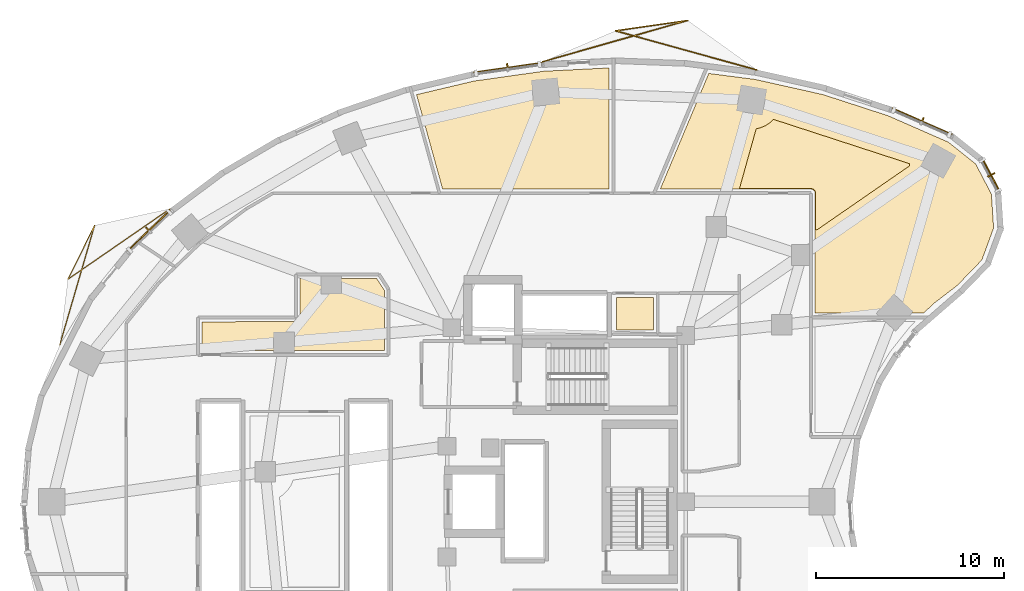
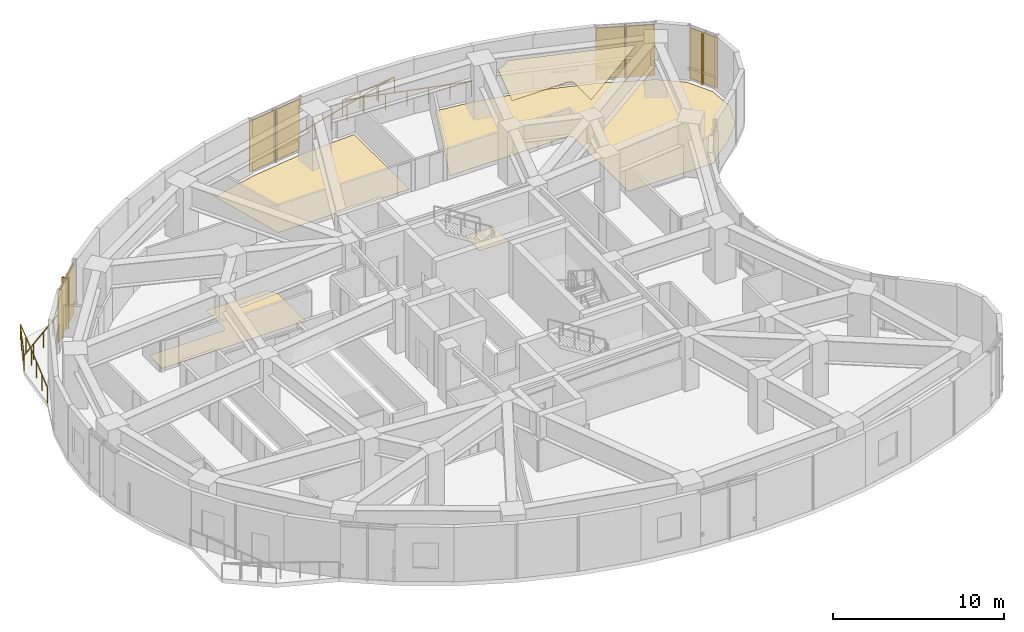
# One storey, part 13 of 13: 8 shading devices, 5 coverings, 2 railings.
"""IFC4 building model written with IfcOpenShell, lengths in metres."""

from ifc_helpers import new_model, si_unit, direction, frame, origin, origin_2d, place, context, subcontext, project, spatial, polyline, rectangle, outline, extrude, material, layer, layer_set, type_object, element, save


model = new_model("IFC4")

# Units and contexts
model_context = context("Model", 3, precision=1e-05, world=origin(), true_north=direction((0.0, 1.0)))
body_context = subcontext(model_context, "Body", "Model", "MODEL_VIEW")
ifc_project = project(units=[si_unit("LENGTHUNIT", "METRE"), si_unit("AREAUNIT", "SQUARE_METRE"), si_unit("VOLUMEUNIT", "CUBIC_METRE"), si_unit("PLANEANGLEUNIT", "RADIAN"), si_unit("MASSUNIT", "GRAM", prefix="KILO")], contexts=[model_context])

# Site, building, storey
site_placement = place(None, origin())
site = spatial("IfcSite", under=ifc_project, at=site_placement, CompositionType="ELEMENT")
building_placement = place(site_placement, origin())
building = spatial("IfcBuilding", under=site, at=building_placement, Name="Korentha Bioscience Tower", CompositionType="ELEMENT")
storey_placement = place(building_placement, frame((0.0, 0.0, 80.39990234375)))
storey = spatial("IfcBuildingStorey", under=building, at=storey_placement, Name="L18", CompositionType="ELEMENT", Elevation=80.39990234375)

# Covering
ifc_material_1 = material(Name="Vitrified Porcelain Tile", Category="ceramic")
ifc_layer_1 = layer(ifc_material_1, 0.014892578125, Name="Vitrified Porcelain Tile")
ifc_layer_set_1 = layer_set([ifc_layer_1], Name="Vitrified Porcelain Tile (FL-CER)")
covering_type_1 = type_object("IfcCoveringType", Name="Anti-Slip Ceramic Wet-Room Tile Flooring 15", PredefinedType="FLOORING", material=ifc_layer_set_1)
covering_1_placement = place(storey_placement, origin())
element("IfcCovering", 1, at=covering_1_placement, inside=storey, type_object=covering_type_1, Name="L18 Accessible Staff WC Floor Finish", PredefinedType="FLOORING", context=body_context, shape_type="SweptSolid", body=[
    extrude(outline(polyline([(33.8701171875, 36.1298828125), (33.8701171875, 37.8701171875), (35.830078125, 37.8701171875), (35.830078125, 36.1298828125), (33.8701171875, 36.1298828125)])), origin(), (0.0, 0.0, 1.0), 0.01513671875),
])

# Railings
ifc_material_2 = material(Name="Laminated Tempered Safety Glass", Category="glass")
railing_type = type_object("IfcRailingType", Name="Laminated Glass Balcony Guardrail 1150", PredefinedType="BALUSTRADE", material=ifc_material_2)
railing_1_placement = place(storey_placement, frame((41.33349609375, 49.9638671875, 0.0)))
element("IfcRailing", 2, at=railing_1_placement, inside=storey, type_object=railing_type, Name="L18 Balcony Guardrail 01", PredefinedType="BALUSTRADE", context=body_context, shape_type="SweptSolid", body=[
    extrude(rectangle(XDim=0.048095703125, YDim=0.048095703125, at=origin_2d()), frame((0.0, 0.0, 1.1259765625), z_axis=(-0.963705393493, 0.266968002864, 0.0), x_axis=(-0.266968002864, -0.963705393493, 0.0)), (0.0, 0.0, 1.0), 7.80712890625),
    extrude(rectangle(XDim=0.048095703125, YDim=0.048095703125, at=origin_2d()), frame((-7.523681640625, 2.084228515625, 1.1259765625), z_axis=(0.989867578194, 0.141993583099, 0.0), x_axis=(-0.141993583099, 0.989867578194, 0.0)), (0.0, 0.0, 1.0), 3.88232421875),
    extrude(rectangle(XDim=0.048095703125, YDim=0.048095703125, at=origin_2d()), frame((-3.6806640625, 2.635498046875, 1.1259765625), z_axis=(-0.961886221557, -0.27344998954, 0.0), x_axis=(0.27344998954, -0.961886221557, 0.0)), (0.0, 0.0, 1.0), 8.017578125),
    extrude(rectangle(XDim=0.0419921875, YDim=0.0419921875, at=origin_2d()), origin(), (0.0, 0.0, 1.0), 1.101806640625),
    extrude(rectangle(XDim=0.0419921875, YDim=0.0419921875, at=origin_2d()), frame((-1.25390625, 0.347412109375, 0.0)), (0.0, 0.0, 1.0), 1.101806640625),
    extrude(rectangle(XDim=0.0419921875, YDim=0.0419921875, at=origin_2d()), frame((-2.5078125, 0.69482421875, 0.0)), (0.0, 0.0, 1.0), 1.101806640625),
    extrude(rectangle(XDim=0.0419921875, YDim=0.0419921875, at=origin_2d()), frame((-3.76171875, 1.0419921875, 0.0)), (0.0, 0.0, 1.0), 1.101806640625),
    extrude(rectangle(XDim=0.0419921875, YDim=0.0419921875, at=origin_2d()), frame((-5.015869140625, 1.389404296875, 0.0)), (0.0, 0.0, 1.0), 1.101806640625),
    extrude(rectangle(XDim=0.0419921875, YDim=0.0419921875, at=origin_2d()), frame((-6.269775390625, 1.73681640625, 0.0)), (0.0, 0.0, 1.0), 1.101806640625),
    extrude(rectangle(XDim=0.0419921875, YDim=0.0419921875, at=origin_2d()), frame((-7.523681640625, 2.084228515625, 0.0)), (0.0, 0.0, 1.0), 1.101806640625),
    extrude(rectangle(XDim=0.0419921875, YDim=0.0419921875, at=origin_2d()), frame((-6.24267578125, 2.26806640625, 0.0)), (0.0, 0.0, 1.0), 1.101806640625),
    extrude(rectangle(XDim=0.0419921875, YDim=0.0419921875, at=origin_2d()), frame((-4.961669921875, 2.45166015625, 0.0)), (0.0, 0.0, 1.0), 1.101806640625),
    extrude(rectangle(XDim=0.0419921875, YDim=0.0419921875, at=origin_2d()), frame((-3.6806640625, 2.635498046875, 0.0)), (0.0, 0.0, 1.0), 1.101806640625),
    extrude(rectangle(XDim=0.0419921875, YDim=0.0419921875, at=origin_2d()), frame((-4.966064453125, 2.27001953125, 0.0)), (0.0, 0.0, 1.0), 1.101806640625),
    extrude(rectangle(XDim=0.0419921875, YDim=0.0419921875, at=origin_2d()), frame((-6.251220703125, 1.90478515625, 0.0)), (0.0, 0.0, 1.0), 1.101806640625),
    extrude(rectangle(XDim=0.0419921875, YDim=0.0419921875, at=origin_2d()), frame((-7.53662109375, 1.539306640625, 0.0)), (0.0, 0.0, 1.0), 1.101806640625),
    extrude(rectangle(XDim=0.0419921875, YDim=0.0419921875, at=origin_2d()), frame((-8.822021484375, 1.173828125, 0.0)), (0.0, 0.0, 1.0), 1.101806640625),
    extrude(rectangle(XDim=0.0419921875, YDim=0.0419921875, at=origin_2d()), frame((-10.107177734375, 0.80859375, 0.0)), (0.0, 0.0, 1.0), 1.101806640625),
    extrude(rectangle(XDim=0.0419921875, YDim=0.0419921875, at=origin_2d()), frame((-11.392578125, 0.443115234375, 0.0)), (0.0, 0.0, 1.0), 1.101806640625),
])
railing_2_placement = place(storey_placement, frame((10.1220703125, 42.58642578125, 0.0)))
element("IfcRailing", 3, at=railing_2_placement, inside=storey, type_object=railing_type, Name="L18 Balcony Guardrail 02", PredefinedType="BALUSTRADE", context=body_context, shape_type="SweptSolid", body=[
    extrude(rectangle(XDim=0.048095703125, YDim=0.048095703125, at=origin_2d()), frame((0.0, 0.0, 1.1259765625), z_axis=(-0.822966359842, -0.56809010779, 0.0), x_axis=(0.56809010779, -0.822966359842, 0.0)), (0.0, 0.0, 1.0), 6.6123046875),
    extrude(rectangle(XDim=0.048095703125, YDim=0.048095703125, at=origin_2d()), frame((-5.441650390625, -3.75634765625, 1.1259765625), z_axis=(0.444285864543, 0.895885076651, 0.0), x_axis=(-0.895885076651, 0.444285864543, 0.0)), (0.0, 0.0, 1.0), 3.204833984375),
    extrude(rectangle(XDim=0.048095703125, YDim=0.048095703125, at=origin_2d()), frame((-4.017822265625, -0.88525390625, 1.1259765625), z_axis=(-0.2799152519, -0.960024714137, 0.0), x_axis=(0.960024714137, -0.2799152519, 0.0)), (0.0, 0.0, 1.0), 6.637451171875),
    extrude(rectangle(XDim=0.0419921875, YDim=0.0419921875, at=origin_2d()), origin(), (0.0, 0.0, 1.0), 1.101806640625),
    extrude(rectangle(XDim=0.0419921875, YDim=0.0419921875, at=origin_2d()), frame((-1.08837890625, -0.751220703125, 0.0)), (0.0, 0.0, 1.0), 1.101806640625),
    extrude(rectangle(XDim=0.0419921875, YDim=0.0419921875, at=origin_2d()), frame((-2.1767578125, -1.50244140625, 0.0)), (0.0, 0.0, 1.0), 1.101806640625),
    extrude(rectangle(XDim=0.0419921875, YDim=0.0419921875, at=origin_2d()), frame((-3.264892578125, -2.25390625, 0.0)), (0.0, 0.0, 1.0), 1.101806640625),
    extrude(rectangle(XDim=0.0419921875, YDim=0.0419921875, at=origin_2d()), frame((-4.353271484375, -3.005126953125, 0.0)), (0.0, 0.0, 1.0), 1.101806640625),
    extrude(rectangle(XDim=0.0419921875, YDim=0.0419921875, at=origin_2d()), frame((-5.441650390625, -3.75634765625, 0.0)), (0.0, 0.0, 1.0), 1.101806640625),
    extrude(rectangle(XDim=0.0419921875, YDim=0.0419921875, at=origin_2d()), frame((-4.967041015625, -2.79931640625, 0.0)), (0.0, 0.0, 1.0), 1.101806640625),
    extrude(rectangle(XDim=0.0419921875, YDim=0.0419921875, at=origin_2d()), frame((-4.492431640625, -1.84228515625, 0.0)), (0.0, 0.0, 1.0), 1.101806640625),
    extrude(rectangle(XDim=0.0419921875, YDim=0.0419921875, at=origin_2d()), frame((-4.017822265625, -0.88525390625, 0.0)), (0.0, 0.0, 1.0), 1.101806640625),
    extrude(rectangle(XDim=0.0419921875, YDim=0.0419921875, at=origin_2d()), frame((-4.389404296875, -2.15966796875, 0.0)), (0.0, 0.0, 1.0), 1.101806640625),
    extrude(rectangle(XDim=0.0419921875, YDim=0.0419921875, at=origin_2d()), frame((-4.760986328125, -3.43408203125, 0.0)), (0.0, 0.0, 1.0), 1.101806640625),
    extrude(rectangle(XDim=0.0419921875, YDim=0.0419921875, at=origin_2d()), frame((-5.132568359375, -4.70849609375, 0.0)), (0.0, 0.0, 1.0), 1.101806640625),
    extrude(rectangle(XDim=0.0419921875, YDim=0.0419921875, at=origin_2d()), frame((-5.504150390625, -5.98291015625, 0.0)), (0.0, 0.0, 1.0), 1.101806640625),
    extrude(rectangle(XDim=0.0419921875, YDim=0.0419921875, at=origin_2d()), frame((-5.875732421875, -7.25732421875, 0.0)), (0.0, 0.0, 1.0), 1.101806640625),
])

# Covering
ifc_material_3 = material(Name="Antimicrobial Mineral Fibre Board", Category="gypsum")
ifc_layer_2 = layer(ifc_material_3, 0.034912109375, Name="Antimicrobial Mineral Fibre Board")
ifc_layer_set_2 = layer_set([ifc_layer_2], Name="Antimicrobial Mineral Fibre Board (CL-MF35)")
covering_type_2 = type_object("IfcCoveringType", Name="Mineral-Fibre Cleanroom Suspended Ceiling 35", PredefinedType="CEILING", material=ifc_layer_set_2)
covering_2_placement = place(storey_placement, frame((0.0, 0.0, 3.84521484375)))
element("IfcCovering", 4, at=covering_2_placement, inside=storey, type_object=covering_type_2, Name="L18 Biosafety Equipment Store 06 Acoustic Ceiling", PredefinedType="CEILING", context=body_context, shape_type="SweptSolid", body=[
    extrude(outline(polyline([(44.459716796875, 43.412353515625), (44.444580078125, 43.488037109375), (44.392333984375, 43.574951171875), (44.310791015625, 43.63525390625), (44.213134765625, 43.65966796875), (40.4052734375, 43.659912109375), (41.29443359375, 46.83740234375), (41.50244140625, 46.88330078125), (41.783203125, 46.999755859375), (42.035888671875, 47.16845703125), (42.20947265625, 47.337890625), (49.434814453125, 44.985595703125), (49.452392578125, 44.864990234375), (44.517333984375, 41.452392578125), (44.4599609375, 41.486572265625), (44.459716796875, 43.412353515625)])), origin(), (0.0, 0.0, 1.0), 0.034912109375),
])

# Shading devices
ifc_material_4 = material(Name="Perforated Stone-Ceramic Composite", Category="masonry")
ifc_layer_3 = layer(ifc_material_4, 0.06494140625, Name="Perforated Stone-Ceramic Composite")
ifc_layer_set_3 = layer_set([ifc_layer_3], Name="Perforated Stone-Ceramic Composite (CS-01)")
shading_device_type_1 = type_object("IfcShadingDeviceType", Name="Perforated Stone-Ceramic Solar Screen Panel 65", PredefinedType="USERDEFINED", material=ifc_layer_set_3)
shading_device_1_placement = place(storey_placement, frame((50.113037109375, 47.231201171875, 0.000244140625), z_axis=(0.0, 0.0, 1.0), x_axis=(-0.91593909057, 0.401317308828, 0.0)))
element("IfcShadingDevice", 5, at=shading_device_1_placement, inside=storey, type_object=shading_device_type_1, Name="CW-L18-01 Perforated Stone-Ceramic Solar Screen", ObjectType="SCREEN", PredefinedType="USERDEFINED", context=body_context, shape_type="SweptSolid", body=[
    extrude(rectangle(XDim=3.492431640625, YDim=0.06494140625, at=origin_2d()), origin(), (0.0, 0.0, 1.0), 3.6298828125),
])
shading_device_2_placement = place(storey_placement, frame((28.072509765625, 50.08251953125, 0.000244140625), z_axis=(0.0, 0.0, 1.0), x_axis=(-0.990167372968, -0.139887717511, 0.0)))
element("IfcShadingDevice", 6, at=shading_device_2_placement, inside=storey, type_object=shading_device_type_1, Name="CW-L18-07 Perforated Stone-Ceramic Solar Screen", ObjectType="SCREEN", PredefinedType="USERDEFINED", context=body_context, shape_type="SweptSolid", body=[
    extrude(rectangle(XDim=3.69091796875, YDim=0.06494140625, at=origin_2d()), origin(), (0.0, 0.0, 1.0), 3.6298828125),
])
shading_device_3_placement = place(storey_placement, frame((8.989990234375, 41.424072265625, 0.000244140625), z_axis=(0.0, 0.0, 1.0), x_axis=(-0.723641761581, -0.690175775361, 0.0)))
element("IfcShadingDevice", 7, at=shading_device_3_placement, inside=storey, type_object=shading_device_type_1, Name="CW-L18-13 Perforated Stone-Ceramic Solar Screen", ObjectType="SCREEN", PredefinedType="USERDEFINED", context=body_context, shape_type="SweptSolid", body=[
    extrude(rectangle(XDim=3.142822265625, YDim=0.06494140625, at=origin_2d()), origin(), (0.0, 0.0, 1.0), 3.6298828125),
])
shading_device_4_placement = place(storey_placement, frame((53.784912109375, 44.375732421875, 0.000244140625), z_axis=(0.0, 0.0, 1.0), x_axis=(-0.463008597697, 0.886353788539, 0.0)))
element("IfcShadingDevice", 8, at=shading_device_4_placement, inside=storey, type_object=shading_device_type_1, Name="CW-L18-61 Perforated Stone-Ceramic Solar Screen", ObjectType="SCREEN", PredefinedType="USERDEFINED", context=body_context, shape_type="SweptSolid", body=[
    extrude(rectangle(XDim=1.927734375, YDim=0.06494140625, at=origin_2d()), origin(), (0.0, 0.0, 1.0), 3.6298828125),
])

# Coverings
ifc_material_5 = material(Name="Chemical-Resistant Epoxy Resin", Category="polymer")
ifc_layer_4 = layer(ifc_material_5, 0.011962890625, Name="Chemical-Resistant Epoxy Resin")
ifc_layer_set_4 = layer_set([ifc_layer_4], Name="Chemical-Resistant Epoxy Resin (FL-EPX)")
covering_type_3 = type_object("IfcCoveringType", Name="Seamless Epoxy Laboratory Flooring 12", PredefinedType="FLOORING", material=ifc_layer_set_4)
covering_3_placement = place(storey_placement, origin())
element("IfcCovering", 9, at=covering_3_placement, inside=storey, type_object=covering_type_3, Name="L18 Biosafety Equipment Store 06 Floor Finish", PredefinedType="FLOORING", context=body_context, shape_type="SweptSolid", body=[
    extrude(outline(polyline([(41.244873046875, 49.461181640625), (44.857177734375, 48.65283203125), (48.31005859375, 47.52978515625), (51.5166015625, 46.125), (52.96630859375, 44.970458984375), (53.805419921875, 43.364501953125), (53.922607421875, 41.556396484375), (53.297607421875, 39.855712890625), (51.98876953125, 38.5029296875), (50.7138671875, 37.524658203125), (50.2041015625, 37.028076171875), (44.429931640625, 37.028076171875), (44.429931640625, 43.39990234375), (44.40771484375, 43.498779296875), (44.33740234375, 43.58447265625), (44.199951171875, 43.6298828125), (36.19189453125, 43.6298828125), (38.772705078125, 49.781005859375), (41.244873046875, 49.461181640625)])), origin(), (0.0, 0.0, 1.0), 0.01220703125),
])
covering_4_placement = place(storey_placement, origin())
element("IfcCovering", 10, at=covering_4_placement, inside=storey, type_object=covering_type_3, Name="L18 PCR Amplification Cleanroom 08 Floor Finish", PredefinedType="FLOORING", context=body_context, shape_type="SweptSolid", body=[
    extrude(outline(polyline([(33.471923828125, 50.074462890625), (33.471923828125, 43.6298828125), (24.613525390625, 43.6298828125), (23.227294921875, 48.653076171875), (26.28173828125, 49.375), (29.989501953125, 49.898681640625), (33.471923828125, 50.074462890625)])), origin(), (0.0, 0.0, 1.0), 0.01220703125),
])
covering_5_placement = place(storey_placement, origin())
element("IfcCovering", 11, at=covering_5_placement, inside=storey, type_object=covering_type_3, Name="L18 Glassware Autoclave Wash Alcove 10 Floor Finish", PredefinedType="FLOORING", context=body_context, shape_type="SweptSolid", body=[
    extrude(outline(polyline([(21.52001953125, 35.030029296875), (11.81005859375, 35.030029296875), (11.81005859375, 36.570068359375), (16.85546875, 36.576904296875), (16.970703125, 36.64599609375), (17.008056640625, 36.7021484375), (17.02978515625, 36.7880859375), (17.030029296875, 38.8701171875), (21.112060546875, 38.8701171875), (21.52001953125, 38.232666015625), (21.52001953125, 35.030029296875)])), origin(), (0.0, 0.0, 1.0), 0.01220703125),
])

# Shading devices
ifc_material_6 = material(Name="Honed Travertine Limestone", Category="masonry")
ifc_layer_5 = layer(ifc_material_6, 0.080078125, Name="Honed Travertine Limestone")
ifc_layer_set_5 = layer_set([ifc_layer_5], Name="Honed Travertine Limestone (CS-02)")
shading_device_type_2 = type_object("IfcShadingDeviceType", Name="Vertical Honed Limestone Sunshade Fin 80x420", PredefinedType="USERDEFINED", material=ifc_layer_set_5)
for number, where, z_axis, x_axis, name in (
    (12, (50.12109375, 47.24951171875, 0.000244140625), (0.0, 0.0, 1.0), (-0.91593909057, 0.401317308828, 0.0), "CW-L18-01 Limestone Sunshade Fin"),
    (13, (28.06982421875, 50.102294921875, 0.000244140625), (0.0, 0.0, 1.0), (-0.990167372968, -0.139887717511, 0.0), "CW-L18-07 Limestone Sunshade Fin"),
    (14, (8.976318359375, 41.4384765625, 0.000244140625), (0.0, 0.0, 1.0), (-0.723641761581, -0.690175775361, 0.0), "CW-L18-13 Limestone Sunshade Fin"),
    (15, (53.802490234375, 44.385009765625, 0.000244140625), (0.0, 0.0, 1.0), (-0.463008597697, 0.886353788539, 0.0), "CW-L18-61 Limestone Sunshade Fin"),
):
    element("IfcShadingDevice", number, at=place(storey_placement, frame(where, z_axis=z_axis, x_axis=x_axis)), inside=storey, type_object=shading_device_type_2, Name=name, ObjectType="SCREEN", PredefinedType="USERDEFINED", context=body_context, shape_type="SweptSolid", body=[
        extrude(rectangle(XDim=0.080078125, YDim=0.419921875, at=origin_2d()), origin(), (0.0, 0.0, 1.0), 3.6298828125),
    ])

save(model, "model.ifc")
